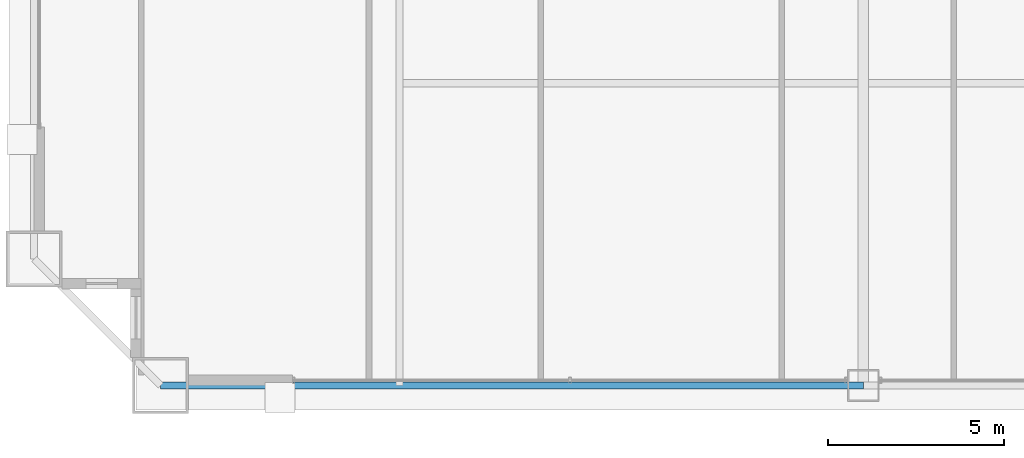
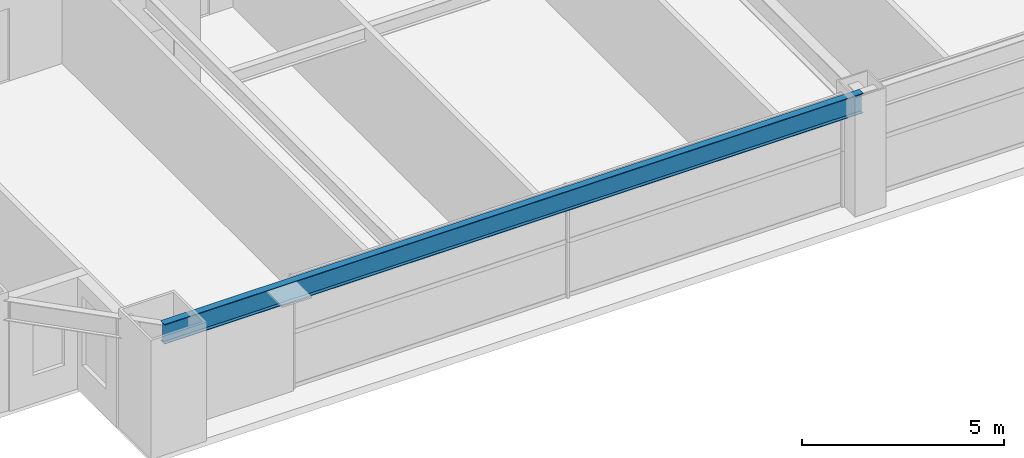
# One storey, part 5 of 39: 1 beam.
"""IFC4 building model written with IfcOpenShell, lengths in metres."""

from ifc_helpers import new_model, si_unit, direction, frame, origin, origin_2d, place, context, subcontext, project, spatial, i_section, extrude, source, transform, mapped, material, material_profile, profile_set, type_object, element, save


model = new_model("IFC4")

# Units and contexts
model_context = context("Model", 3, precision=1e-05, world=origin(), true_north=direction((0.0, 1.0)))
body_context = subcontext(model_context, "Body", "Model", "MODEL_VIEW")
ifc_project = project(units=[si_unit("LENGTHUNIT", "METRE"), si_unit("AREAUNIT", "SQUARE_METRE"), si_unit("VOLUMEUNIT", "CUBIC_METRE"), si_unit("PLANEANGLEUNIT", "RADIAN"), si_unit("MASSUNIT", "GRAM", prefix="KILO"), si_unit("THERMODYNAMICTEMPERATUREUNIT", "KELVIN"), si_unit("POWERUNIT", "WATT")], contexts=[model_context])

# Site, building, storey
site_placement = place(None, origin())
site = spatial("IfcSite", under=ifc_project, at=site_placement, CompositionType="ELEMENT")
building_placement = place(site_placement, origin())
building = spatial("IfcBuilding", under=site, at=building_placement, Name="Yuzanri Waterfront Tower", CompositionType="ELEMENT")
storey_placement = place(building_placement, frame((0.0, 0.0, 156.0)))
storey = spatial("IfcBuildingStorey", under=building, at=storey_placement, Name="L41", CompositionType="ELEMENT", Elevation=156.0)

# Beam
ifc_material = material(Name="Steel Q355B", Category="steel")
ifc_material_profile = material_profile(ifc_material, i_section(OverallWidth=0.199951171875, OverallDepth=0.60009765625, WebThickness=0.010986328125, FlangeThickness=0.01708984375, at=origin_2d()), Name="HN 600x200x11x17")
ifc_profile_set = profile_set([ifc_material_profile], Name="Steel Q355B")
beam_type = type_object("IfcBeamType", Name="Perimeter Spandrel Q355B HN 600x200", PredefinedType="SPANDREL", material=ifc_profile_set)
shared_shape = source(origin(), body_context, "Body", "SweptSolid", [
    extrude(i_section(OverallWidth=0.199951171875, OverallDepth=0.60009765625, WebThickness=0.010986328125, FlangeThickness=0.01708984375, at=origin_2d()), origin(), (0.0, 0.0, 1.0), 20.0),
])
beam_placement = place(storey_placement, frame((17.0, 2.199951171875, 3.080078125), z_axis=(1.0, 0.0, 0.0), x_axis=(0.0, 1.0, 0.0)))
element("IfcBeam", 1, at=beam_placement, inside=storey, type_object=beam_type, Name="L41 Perimeter Spandrel S1-S2", PredefinedType="SPANDREL", context=body_context, shape_type="MappedRepresentation", body=[
    mapped(shared_shape, transform((0.0, 0.0, 0.0), scale=1.0)),
])

save(model, "model.ifc")
